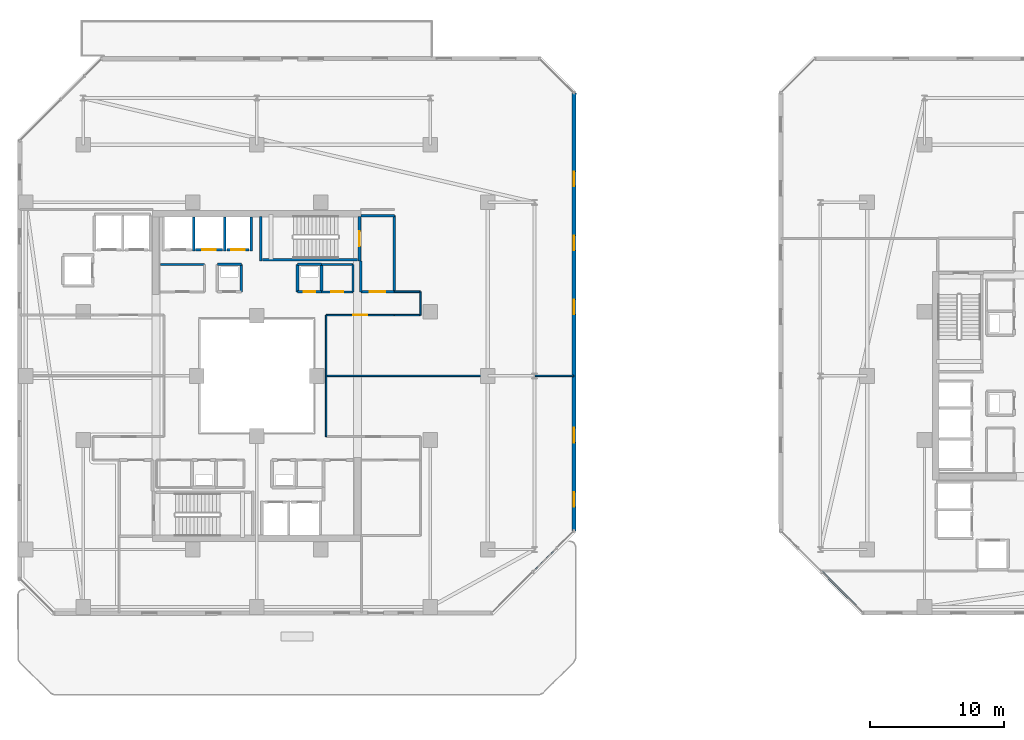
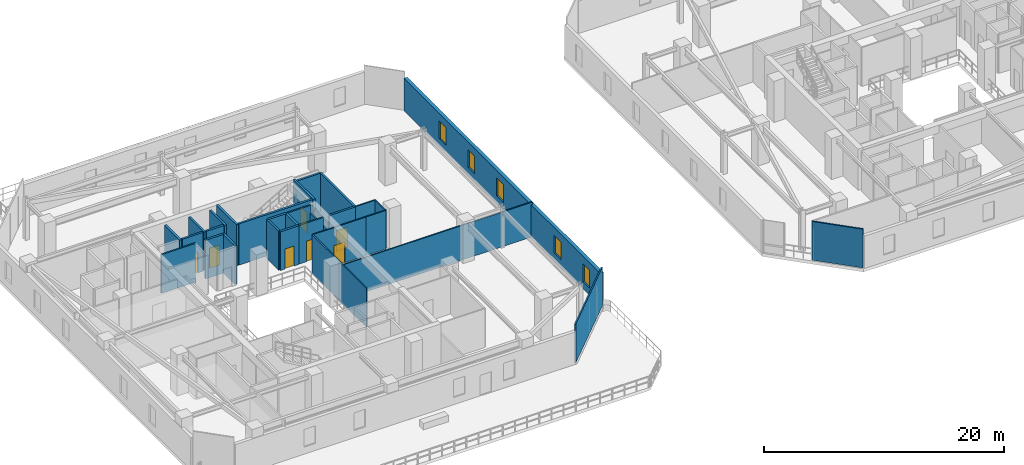
# One storey, part 22 of 33: 32 walls, 7 doors, 5 windows, 12 openings.
"""IFC4 building model written with IfcOpenShell, lengths in metres."""

from ifc_helpers import new_model, si_unit, direction, frame, frame_2d, origin, place, context, subcontext, project, spatial, rectangle, extrude, material, layer, layer_set, type_object, element, fill, save


model = new_model("IFC4")

# Units and contexts
model_context = context("Model", 3, precision=1e-05, world=origin(), true_north=direction((0.0, 1.0)))
body_context = subcontext(model_context, "Body", "Model", "MODEL_VIEW")
ifc_project = project(units=[si_unit("LENGTHUNIT", "METRE"), si_unit("AREAUNIT", "SQUARE_METRE"), si_unit("VOLUMEUNIT", "CUBIC_METRE"), si_unit("PLANEANGLEUNIT", "RADIAN"), si_unit("MASSUNIT", "GRAM", prefix="KILO")], contexts=[model_context])

# Site, building, storey
site_placement = place(None, origin())
site = spatial("IfcSite", under=ifc_project, at=site_placement, CompositionType="ELEMENT")
building_placement = place(site_placement, origin())
building = spatial("IfcBuilding", under=site, at=building_placement, Name="Thornwick Lancets Civic Towers", CompositionType="ELEMENT")
storey_placement = place(building_placement, frame((0.0, 0.0, 174.300048828125)))
storey = spatial("IfcBuildingStorey", under=building, at=storey_placement, Name="L46", CompositionType="ELEMENT", Elevation=174.300048828125)

# Wall, opening, door
ifc_material_1 = material(Name="Concrete blockwork C40/50", Category="masonry")
ifc_layer_1 = layer(ifc_material_1, 0.199951171875, Name="Concrete blockwork C40/50")
ifc_layer_set_1 = layer_set([ifc_layer_1], Name="Concrete blockwork C40/50")
wall_type_1 = type_object("IfcWallType", Name="WALL_COMP_200", PredefinedType="STANDARD", material=ifc_layer_set_1)
wall_1_placement = place(storey_placement, frame((24.919921875, 36.449951171875, 0.0), z_axis=(0.0, 0.0, 1.0), x_axis=(-1.0, 0.0, 0.0)))
wall_1 = element("IfcWall", 1, at=wall_1_placement, inside=storey, type_object=wall_type_1, Name="L46 Hoistway Front Wall FL-A2", PredefinedType="STANDARD", context=body_context, shape_type="SweptSolid", body=[
    extrude(rectangle(XDim=1.639892578125, YDim=0.199951171875, at=frame_2d((0.81982421875, 0.0))), origin(), (0.0, 0.0, 1.0), 3.93994140625),
])
opening_1_placement = place(wall_1_placement, frame((0.31005859375, 0.0, 0.0)))
opening_1 = element("IfcOpeningElement", 2, at=opening_1_placement, cuts=wall_1, Name="Opening LD-FL-A2", PredefinedType="OPENING", context=body_context, shape_type="SweptSolid", body=[
    extrude(rectangle(XDim=1.02001953125, YDim=2.06005859375, at=frame_2d((0.510009765625, 1.030029296875))), frame((0.0, 0.10986328125, 0.0), z_axis=(0.0, -1.0, 0.0), x_axis=(1.0, 0.0, 0.0)), (0.0, 0.0, 1.0), 0.219970703125),
])
ifc_material_2 = material(Name="Brushed bronze stainless steel", Category="steel")
door_type_1 = type_object("IfcDoorType", Name="DOOR_LIFT_SLIDE", OperationType="SLIDING_TO_LEFT", PredefinedType="DOOR", material=ifc_material_2)
door_1_placement = place(opening_1_placement, origin())
door_1 = element("IfcDoor", 3, at=door_1_placement, inside=storey, type_object=door_type_1, Name="L46 Sliding Lift Landing Door LD-FL-A2", OperationType="SLIDING_TO_LEFT", OverallHeight=2.06005859375, OverallWidth=1.02001953125, PredefinedType="DOOR", context=body_context, shape_type="SweptSolid", body=[
    extrude(rectangle(XDim=1.02001953125, YDim=2.06005859375, at=frame_2d((0.510009765625, 1.030029296875))), frame((0.0, 0.02490234375, 0.0), z_axis=(0.0, -1.0, 0.0), x_axis=(1.0, 0.0, 0.0)), (0.0, 0.0, 1.0), 0.050048828125),
])
fill(opening_1, door_1)

wall_2_placement = place(storey_placement, frame((22.919921875, 36.449951171875, 0.0), z_axis=(0.0, 0.0, 1.0), x_axis=(-1.0, 0.0, 0.0)))
wall_2 = element("IfcWall", 4, at=wall_2_placement, inside=storey, type_object=wall_type_1, Name="L46 Hoistway Front Wall PL-AH2", PredefinedType="STANDARD", context=body_context, shape_type="SweptSolid", body=[
    extrude(rectangle(XDim=1.989990234375, YDim=0.199951171875, at=frame_2d((0.9951171875, 0.0))), origin(), (0.0, 0.0, 1.0), 3.93994140625),
])
opening_2_placement = place(wall_2_placement, frame((0.485107421875, 0.0, 0.0)))
opening_2 = element("IfcOpeningElement", 5, at=opening_2_placement, cuts=wall_2, Name="Opening LD-PL-AH2", PredefinedType="OPENING", context=body_context, shape_type="SweptSolid", body=[
    extrude(rectangle(XDim=1.02001953125, YDim=2.06005859375, at=frame_2d((0.510009765625, 1.030029296875))), frame((0.0, 0.10986328125, 0.0), z_axis=(0.0, -1.0, 0.0), x_axis=(1.0, 0.0, 0.0)), (0.0, 0.0, 1.0), 0.219970703125),
])
door_2_placement = place(opening_2_placement, origin())
door_2 = element("IfcDoor", 6, at=door_2_placement, inside=storey, type_object=door_type_1, Name="L46 Sliding Lift Landing Door LD-PL-AH2", OperationType="SLIDING_TO_LEFT", OverallHeight=2.06005859375, OverallWidth=1.02001953125, PredefinedType="DOOR", context=body_context, shape_type="SweptSolid", body=[
    extrude(rectangle(XDim=1.02001953125, YDim=2.06005859375, at=frame_2d((0.510009765625, 1.030029296875))), frame((0.0, 0.02490234375, 0.0), z_axis=(0.0, -1.0, 0.0), x_axis=(1.0, 0.0, 0.0)), (0.0, 0.0, 1.0), 0.050048828125),
])
fill(opening_2, door_2)

# Walls
for number, where, z_axis, x_axis, name in (
    (7, (25.10009765625, 36.35205078125, 0.0), (0.0, 0.0, 1.0), (0.0, 1.0, 0.0), "L46 Hoistway Shaft Wall FL-A2 E"),
    (8, (23.10009765625, 36.35205078125, 0.0), (0.0, 0.0, 1.0), (0.0, 1.0, 0.0), "L46 Hoistway Shaft Wall FL-A2 W"),
    (9, (20.77490234375, 36.35205078125, 0.0), (0.0, 0.0, 1.0), (0.0, 1.0, 0.0), "L46 Hoistway Shaft Wall PL-AH2 W"),
):
    element("IfcWall", number, at=place(storey_placement, frame(where, z_axis=z_axis, x_axis=x_axis)), inside=storey, type_object=wall_type_1, Name=name, PredefinedType="STANDARD", context=body_context, shape_type="SweptSolid", body=[
        extrude(rectangle(XDim=2.535888671875, YDim=0.199951171875, at=frame_2d((1.26806640625, 0.0))), origin(), (0.0, 0.0, 1.0), 3.93994140625),
    ])

# Wall, opening, door
wall_3_placement = place(storey_placement, frame((33.300048828125, 33.300048828125, 0.0), z_axis=(0.0, 0.0, 1.0), x_axis=(1.0, 0.0, 0.0)))
wall_3 = element("IfcWall", 10, at=wall_3_placement, inside=storey, type_object=wall_type_1, Name="L46 Partition L46-A-FFLOB2 E1", PredefinedType="STANDARD", context=body_context, shape_type="SweptSolid", body=[
    extrude(rectangle(XDim=2.5, YDim=0.199951171875, at=frame_2d((1.25, 0.0))), origin(), (0.0, 0.0, 1.0), 3.93994140625),
])
opening_3_placement = place(wall_3_placement, frame((0.675048828125, 0.0, 0.0)))
opening_3 = element("IfcOpeningElement", 11, at=opening_3_placement, cuts=wall_3, Name="Opening D-L46-2050", PredefinedType="OPENING", context=body_context, shape_type="SweptSolid", body=[
    extrude(rectangle(XDim=1.14990234375, YDim=2.10009765625, at=frame_2d((0.574951171875, 1.050048828125))), frame((0.0, 0.10986328125, 0.0), z_axis=(0.0, -1.0, 0.0), x_axis=(1.0, 0.0, 0.0)), (0.0, 0.0, 1.0), 0.219970703125),
])
ifc_material_3 = material(Name="Glazed fire-resisting steel", Category="steel")
door_type_2 = type_object("IfcDoorType", Name="DOOR_LOBBY_FD60", OperationType="NOTDEFINED", PredefinedType="DOOR", material=ifc_material_3)
door_3_placement = place(opening_3_placement, origin())
door_3 = element("IfcDoor", 12, at=door_3_placement, inside=storey, type_object=door_type_2, Name="L46 North Firefighting Lobby 2 Door", OperationType="SINGLE_SWING_LEFT", OverallHeight=2.10009765625, OverallWidth=1.14990234375, PredefinedType="DOOR", context=body_context, shape_type="SweptSolid", body=[
    extrude(rectangle(XDim=1.14990234375, YDim=2.10009765625, at=frame_2d((0.574951171875, 1.050048828125))), frame((0.0, 0.02490234375, 0.0), z_axis=(0.0, -1.0, 0.0), x_axis=(1.0, 0.0, 0.0)), (0.0, 0.0, 1.0), 0.050048828125),
])
fill(opening_3, door_3)

# Walls
wall_4_placement = place(storey_placement, frame((35.800048828125, 33.300048828125, 0.0), z_axis=(0.0, 0.0, 1.0), x_axis=(0.0, 1.0, 0.0)))
element("IfcWall", 13, at=wall_4_placement, inside=storey, type_object=wall_type_1, Name="L46 Partition L46-A-FFLOB2 E2", PredefinedType="STANDARD", context=body_context, shape_type="SweptSolid", body=[
    extrude(rectangle(XDim=5.699951171875, YDim=0.199951171875, at=frame_2d((2.85009765625, 0.0))), origin(), (0.0, 0.0, 1.0), 3.93994140625),
])
wall_5_placement = place(storey_placement, frame((35.800048828125, 39.0, 0.0), z_axis=(0.0, 0.0, 1.0), x_axis=(-1.0, 0.0, 0.0)))
element("IfcWall", 14, at=wall_5_placement, inside=storey, type_object=wall_type_1, Name="L46 Partition L46-A-FFLOB2 E3", PredefinedType="STANDARD", context=body_context, shape_type="SweptSolid", body=[
    extrude(rectangle(XDim=2.5, YDim=0.199951171875, at=frame_2d((1.25, 0.0))), origin(), (0.0, 0.0, 1.0), 3.93994140625),
])
wall_6_placement = place(storey_placement, frame((33.300048828125, 35.60009765625, 0.0), z_axis=(0.0, 0.0, 1.0), x_axis=(0.0, -1.0, 0.0)))
element("IfcWall", 15, at=wall_6_placement, inside=storey, type_object=wall_type_1, Name="L46 Partition L46-A-FFLOB2 E4", PredefinedType="STANDARD", context=body_context, shape_type="SweptSolid", body=[
    extrude(rectangle(XDim=2.300048828125, YDim=0.199951171875, at=frame_2d((1.14990234375, 0.0))), origin(), (0.0, 0.0, 1.0), 3.14501953125),
])
wall_7_placement = place(storey_placement, frame((24.35009765625, 33.300048828125, 0.0), z_axis=(0.0, 0.0, 1.0), x_axis=(0.0, 1.0, 0.0)))
element("IfcWall", 16, at=wall_7_placement, inside=storey, type_object=wall_type_1, Name="L46 Partition L46-A-DUCT2 E2", PredefinedType="STANDARD", context=body_context, shape_type="SweptSolid", body=[
    extrude(rectangle(XDim=2.050048828125, YDim=0.199951171875, at=frame_2d((1.02490234375, 0.0))), origin(), (0.0, 0.0, 1.0), 3.93994140625),
])
wall_8_placement = place(storey_placement, frame((24.35009765625, 35.35009765625, 0.0), z_axis=(0.0, 0.0, 1.0), x_axis=(-1.0, 0.0, 0.0)))
element("IfcWall", 17, at=wall_8_placement, inside=storey, type_object=wall_type_1, Name="L46 Partition L46-A-DUCT2 E3", PredefinedType="STANDARD", context=body_context, shape_type="SweptSolid", body=[
    extrude(rectangle(XDim=1.800048828125, YDim=0.199951171875, at=frame_2d((0.89990234375, 0.0))), origin(), (0.0, 0.0, 1.0), 3.93994140625),
])

# Wall, opening, door
wall_9_placement = place(storey_placement, frame((28.550048828125, 33.300048828125, 0.0), z_axis=(0.0, 0.0, 1.0), x_axis=(1.0, 0.0, 0.0)))
wall_9 = element("IfcWall", 18, at=wall_9_placement, inside=storey, type_object=wall_type_1, Name="L46 Partition L46-A-RISER2 E1", PredefinedType="STANDARD", context=body_context, shape_type="SweptSolid", body=[
    extrude(rectangle(XDim=1.800048828125, YDim=0.199951171875, at=frame_2d((0.89990234375, 0.0))), origin(), (0.0, 0.0, 1.0), 3.93994140625),
])
opening_4_placement = place(wall_9_placement, frame((0.4599609375, 0.0, 0.0)))
opening_4 = element("IfcOpeningElement", 19, at=opening_4_placement, cuts=wall_9, Name="Opening D-L46-2054", PredefinedType="OPENING", context=body_context, shape_type="SweptSolid", body=[
    extrude(rectangle(XDim=0.8798828125, YDim=2.0400390625, at=frame_2d((0.43994140625, 1.02001953125))), frame((0.0, 0.10986328125, 0.0), z_axis=(0.0, -1.0, 0.0), x_axis=(1.0, 0.0, 0.0)), (0.0, 0.0, 1.0), 0.219970703125),
])
ifc_material_4 = material(Name="Steel riser access doorset", Category="steel")
door_type_3 = type_object("IfcDoorType", Name="DOOR_RISER_850", OperationType="NOTDEFINED", PredefinedType="DOOR", material=ifc_material_4)
door_4_placement = place(opening_4_placement, origin())
door_4 = element("IfcDoor", 20, at=door_4_placement, inside=storey, type_object=door_type_3, Name="L46 North Service Riser 2 Door", OperationType="SINGLE_SWING_LEFT", OverallHeight=2.0400390625, OverallWidth=0.8798828125, PredefinedType="DOOR", context=body_context, shape_type="SweptSolid", body=[
    extrude(rectangle(XDim=0.8798828125, YDim=2.0400390625, at=frame_2d((0.43994140625, 1.02001953125))), frame((0.0, 0.02490234375, 0.0), z_axis=(0.0, -1.0, 0.0), x_axis=(1.0, 0.0, 0.0)), (0.0, 0.0, 1.0), 0.050048828125),
])
fill(opening_4, door_4)

# Walls
wall_10_placement = place(storey_placement, frame((30.35009765625, 33.300048828125, 0.0), z_axis=(0.0, 0.0, 1.0), x_axis=(0.0, 1.0, 0.0)))
element("IfcWall", 21, at=wall_10_placement, inside=storey, type_object=wall_type_1, Name="L46 Partition L46-A-RISER2 E2", PredefinedType="STANDARD", context=body_context, shape_type="SweptSolid", body=[
    extrude(rectangle(XDim=2.050048828125, YDim=0.199951171875, at=frame_2d((1.02490234375, 0.0))), origin(), (0.0, 0.0, 1.0), 3.93994140625),
])
wall_11_placement = place(storey_placement, frame((30.35009765625, 35.35009765625, 0.0), z_axis=(0.0, 0.0, 1.0), x_axis=(-1.0, 0.0, 0.0)))
element("IfcWall", 22, at=wall_11_placement, inside=storey, type_object=wall_type_1, Name="L46 Partition L46-A-RISER2 E3", PredefinedType="STANDARD", context=body_context, shape_type="SweptSolid", body=[
    extrude(rectangle(XDim=1.800048828125, YDim=0.199951171875, at=frame_2d((0.89990234375, 0.0))), origin(), (0.0, 0.0, 1.0), 3.93994140625),
])
wall_12_placement = place(storey_placement, frame((28.550048828125, 35.35009765625, 0.0), z_axis=(0.0, 0.0, 1.0), x_axis=(0.0, -1.0, 0.0)))
element("IfcWall", 23, at=wall_12_placement, inside=storey, type_object=wall_type_1, Name="L46 Partition L46-A-RISER2 E4", PredefinedType="STANDARD", context=body_context, shape_type="SweptSolid", body=[
    extrude(rectangle(XDim=2.050048828125, YDim=0.199951171875, at=frame_2d((1.02490234375, 0.0))), origin(), (0.0, 0.0, 1.0), 3.93994140625),
])

# Wall, openings, windows
ifc_material_5 = material(Name="Insulated buff terracotta rainscreen on concrete C40/50", Category="masonry")
ifc_layer_2 = layer(ifc_material_5, 0.320068359375, Name="Insulated buff terracotta rainscreen on concrete C40/50")
ifc_layer_set_2 = layer_set([ifc_layer_2], Name="Insulated buff terracotta rainscreen on concrete C40/50")
wall_type_2 = type_object("IfcWallType", Name="WALL_EXT_TERRA_320", PredefinedType="STANDARD", material=ifc_layer_set_2)
wall_13_placement = place(storey_placement, frame((49.252685546875, 15.403564453125, 0.0), z_axis=(0.0, 0.0, 1.0), x_axis=(0.000364968916, 0.999999933399, 0.0)))
wall_13 = element("IfcWall", 24, at=wall_13_placement, inside=storey, type_object=wall_type_2, Name="L46 Tower A Terracotta Facade Wall E2", PredefinedType="STANDARD", context=body_context, shape_type="SweptSolid", body=[
    extrude(rectangle(XDim=32.77783203125, YDim=0.320068359375, at=frame_2d((16.388916015625, 0.0))), origin(), (0.0, 0.0, 1.0), 3.300048828125),
])
opening_5_placement = place(wall_13_placement, frame((1.800048828125, 0.0, 0.719970703125)))
opening_5 = element("IfcOpeningElement", 25, at=opening_5_placement, cuts=wall_13, Name="Opening WL-02", PredefinedType="OPENING", context=body_context, shape_type="SweptSolid", body=[
    extrude(rectangle(XDim=1.10009765625, YDim=1.800048828125, at=frame_2d((0.550048828125, 0.89990234375))), frame((0.0, 0.169921875, 0.0), z_axis=(0.0, -1.0, 0.0), x_axis=(1.0, 0.0, 0.0)), (0.0, 0.0, 1.0), 0.340087890625),
])
opening_6_placement = place(wall_13_placement, frame((6.60009765625, 0.0, 0.719970703125)))
opening_6 = element("IfcOpeningElement", 26, at=opening_6_placement, cuts=wall_13, Name="Opening WL-02", PredefinedType="OPENING", context=body_context, shape_type="SweptSolid", body=[
    extrude(rectangle(XDim=1.10009765625, YDim=1.800048828125, at=frame_2d((0.550048828125, 0.89990234375))), frame((0.0, 0.169921875, 0.0), z_axis=(0.0, -1.0, 0.0), x_axis=(1.0, 0.0, 0.0)), (0.0, 0.0, 1.0), 0.340087890625),
])
opening_7_placement = place(wall_13_placement, frame((16.199951171875, 0.0, 0.719970703125)))
opening_7 = element("IfcOpeningElement", 27, at=opening_7_placement, cuts=wall_13, Name="Opening WL-02", PredefinedType="OPENING", context=body_context, shape_type="SweptSolid", body=[
    extrude(rectangle(XDim=1.10009765625, YDim=1.800048828125, at=frame_2d((0.550048828125, 0.89990234375))), frame((0.0, 0.169921875, 0.0), z_axis=(0.0, -1.0, 0.0), x_axis=(1.0, 0.0, 0.0)), (0.0, 0.0, 1.0), 0.340087890625),
])
opening_8_placement = place(wall_13_placement, frame((21.0, 0.0, 0.719970703125)))
opening_8 = element("IfcOpeningElement", 28, at=opening_8_placement, cuts=wall_13, Name="Opening WL-02", PredefinedType="OPENING", context=body_context, shape_type="SweptSolid", body=[
    extrude(rectangle(XDim=1.10009765625, YDim=1.800048828125, at=frame_2d((0.550048828125, 0.89990234375))), frame((0.0, 0.169921875, 0.0), z_axis=(0.0, -1.0, 0.0), x_axis=(1.0, 0.0, 0.0)), (0.0, 0.0, 1.0), 0.340087890625),
])
opening_9_placement = place(wall_13_placement, frame((25.800048828125, 0.0, 0.719970703125)))
opening_9 = element("IfcOpeningElement", 29, at=opening_9_placement, cuts=wall_13, Name="Opening WL-02", PredefinedType="OPENING", context=body_context, shape_type="SweptSolid", body=[
    extrude(rectangle(XDim=1.10009765625, YDim=1.800048828125, at=frame_2d((0.550048828125, 0.89990234375))), frame((0.0, 0.169921875, 0.0), z_axis=(0.0, -1.0, 0.0), x_axis=(1.0, 0.0, 0.0)), (0.0, 0.0, 1.0), 0.340087890625),
])
ifc_material_6 = material(Name="Clear low-e double glazing in bronze frame", Category="glass")
window_type = type_object("IfcWindowType", Name="WIN_LANCET_1100", PartitioningType="SINGLE_PANEL", PredefinedType="WINDOW", material=ifc_material_6)
window_1_placement = place(opening_5_placement, origin())
window_1 = element("IfcWindow", 30, at=window_1_placement, inside=storey, type_object=window_type, Name="L46 Tower A Staggered Lancet Window E2-1", OverallHeight=1.800048828125, OverallWidth=1.10009765625, PartitioningType="SINGLE_PANEL", PredefinedType="WINDOW", context=body_context, shape_type="SweptSolid", body=[
    extrude(rectangle(XDim=1.10009765625, YDim=1.800048828125, at=frame_2d((0.550048828125, 0.89990234375))), frame((0.0, 0.030029296875, 0.0), z_axis=(0.0, -1.0, 0.0), x_axis=(1.0, 0.0, 0.0)), (0.0, 0.0, 1.0), 0.06005859375),
])
fill(opening_5, window_1)
window_2_placement = place(opening_6_placement, origin())
window_2 = element("IfcWindow", 31, at=window_2_placement, inside=storey, type_object=window_type, Name="L46 Tower A Staggered Lancet Window E2-2", OverallHeight=1.800048828125, OverallWidth=1.10009765625, PartitioningType="SINGLE_PANEL", PredefinedType="WINDOW", context=body_context, shape_type="SweptSolid", body=[
    extrude(rectangle(XDim=1.10009765625, YDim=1.800048828125, at=frame_2d((0.550048828125, 0.89990234375))), frame((0.0, 0.030029296875, 0.0), z_axis=(0.0, -1.0, 0.0), x_axis=(1.0, 0.0, 0.0)), (0.0, 0.0, 1.0), 0.06005859375),
])
fill(opening_6, window_2)
window_3_placement = place(opening_7_placement, origin())
window_3 = element("IfcWindow", 32, at=window_3_placement, inside=storey, type_object=window_type, Name="L46 Tower A Staggered Lancet Window E2-3", OverallHeight=1.800048828125, OverallWidth=1.10009765625, PartitioningType="SINGLE_PANEL", PredefinedType="WINDOW", context=body_context, shape_type="SweptSolid", body=[
    extrude(rectangle(XDim=1.10009765625, YDim=1.800048828125, at=frame_2d((0.550048828125, 0.89990234375))), frame((0.0, 0.030029296875, 0.0), z_axis=(0.0, -1.0, 0.0), x_axis=(1.0, 0.0, 0.0)), (0.0, 0.0, 1.0), 0.06005859375),
])
fill(opening_7, window_3)
window_4_placement = place(opening_8_placement, origin())
window_4 = element("IfcWindow", 33, at=window_4_placement, inside=storey, type_object=window_type, Name="L46 Tower A Staggered Lancet Window E2-4", OverallHeight=1.800048828125, OverallWidth=1.10009765625, PartitioningType="SINGLE_PANEL", PredefinedType="WINDOW", context=body_context, shape_type="SweptSolid", body=[
    extrude(rectangle(XDim=1.10009765625, YDim=1.800048828125, at=frame_2d((0.550048828125, 0.89990234375))), frame((0.0, 0.030029296875, 0.0), z_axis=(0.0, -1.0, 0.0), x_axis=(1.0, 0.0, 0.0)), (0.0, 0.0, 1.0), 0.06005859375),
])
fill(opening_8, window_4)
window_5_placement = place(opening_9_placement, origin())
window_5 = element("IfcWindow", 34, at=window_5_placement, inside=storey, type_object=window_type, Name="L46 Tower A Staggered Lancet Window E2-5", OverallHeight=1.800048828125, OverallWidth=1.10009765625, PartitioningType="SINGLE_PANEL", PredefinedType="WINDOW", context=body_context, shape_type="SweptSolid", body=[
    extrude(rectangle(XDim=1.10009765625, YDim=1.800048828125, at=frame_2d((0.550048828125, 0.89990234375))), frame((0.0, 0.030029296875, 0.0), z_axis=(0.0, -1.0, 0.0), x_axis=(1.0, 0.0, 0.0)), (0.0, 0.0, 1.0), 0.06005859375),
])
fill(opening_9, window_5)

# Walls
ifc_material_7 = material(Name="Acoustic gypsum board partition")
ifc_layer_3 = layer(ifc_material_7, 0.1201171875, Name="Acoustic gypsum board partition")
ifc_layer_set_3 = layer_set([ifc_layer_3], Name="Acoustic gypsum board partition")
wall_type_3 = type_object("IfcWallType", Name="WALL_PART_120", PredefinedType="PARTITIONING", material=ifc_layer_set_3)
wall_14_placement = place(storey_placement, frame((30.699951171875, 22.449951171875, 0.0), z_axis=(0.0, 0.0, 1.0), x_axis=(0.0, 1.0, 0.0)))
element("IfcWall", 35, at=wall_14_placement, inside=storey, type_object=wall_type_3, Name="L46 Partition L46-A-E1 E5", PredefinedType="PARTITIONING", context=body_context, shape_type="SweptSolid", body=[
    extrude(rectangle(XDim=4.550048828125, YDim=0.1201171875, at=frame_2d((2.27490234375, 0.0))), origin(), (0.0, 0.0, 1.0), 3.93994140625),
])
wall_15_placement = place(storey_placement, frame((30.699951171875, 27.0, 0.0), z_axis=(0.0, 0.0, 1.0), x_axis=(1.0, 0.0, 0.0)))
element("IfcWall", 36, at=wall_15_placement, inside=storey, type_object=wall_type_3, Name="L46 Partition L46-A-E1 E6", PredefinedType="PARTITIONING", context=body_context, shape_type="SweptSolid", body=[
    extrude(rectangle(XDim=18.52001953125, YDim=0.1201171875, at=frame_2d((9.260009765625, 0.0))), origin(), (0.0, 0.0, 1.0), 3.5322265625),
])
wall_16_placement = place(storey_placement, frame((49.219970703125, 15.37451171875, 0.0), z_axis=(0.0, 0.0, 1.0), x_axis=(-0.707106781187, -0.707106781187, 0.0)))
element("IfcWall", 37, at=wall_16_placement, inside=storey, type_object=wall_type_3, Name="L46 Partition L46-A-E1 E8", PredefinedType="PARTITIONING", context=body_context, shape_type="SweptSolid", body=[
    extrude(rectangle(XDim=8.618896484375, YDim=0.1201171875, at=frame_2d((4.3095703125, 0.0))), origin(), (0.0, 0.0, 1.0), 3.93994140625),
])

# Wall, opening, door
wall_17_placement = place(storey_placement, frame((30.699951171875, 31.550048828125, 0.0), z_axis=(0.0, 0.0, 1.0), x_axis=(1.0, 0.0, 0.0)))
wall_17 = element("IfcWall", 38, at=wall_17_placement, inside=storey, type_object=wall_type_3, Name="L46 Partition L46-A-SKYPOOL-LOUNGE E1", PredefinedType="PARTITIONING", context=body_context, shape_type="SweptSolid", body=[
    extrude(rectangle(XDim=5.10009765625, YDim=0.1201171875, at=frame_2d((2.550048828125, 0.0))), origin(), (0.0, 0.0, 1.0), 3.93994140625),
])
opening_10_placement = place(wall_17_placement, frame((2.02490234375, 0.0, 0.0)))
opening_10 = element("IfcOpeningElement", 39, at=opening_10_placement, cuts=wall_17, Name="Opening D-L46-2077", PredefinedType="OPENING", context=body_context, shape_type="SweptSolid", body=[
    extrude(rectangle(XDim=1.050048828125, YDim=2.10009765625, at=frame_2d((0.52490234375, 1.050048828125))), frame((0.0, 0.070068359375, 0.0), z_axis=(0.0, -1.0, 0.0), x_axis=(1.0, 0.0, 0.0)), (0.0, 0.0, 1.0), 0.14013671875),
])
ifc_material_8 = material(Name="Glazed European oak executive doorset")
door_type_4 = type_object("IfcDoorType", Name="DOOR_OFFICE_1050", OperationType="NOTDEFINED", PredefinedType="DOOR", material=ifc_material_8)
door_5_placement = place(opening_10_placement, origin())
door_5 = element("IfcDoor", 40, at=door_5_placement, inside=storey, type_object=door_type_4, Name="L46 Sky Pool Wellness Lounge Door", OperationType="SINGLE_SWING_RIGHT", OverallHeight=2.10009765625, OverallWidth=1.050048828125, PredefinedType="DOOR", context=body_context, shape_type="SweptSolid", body=[
    extrude(rectangle(XDim=1.050048828125, YDim=2.10009765625, at=frame_2d((0.52490234375, 1.050048828125))), frame((0.0, 0.02490234375, 0.0), z_axis=(0.0, -1.0, 0.0), x_axis=(1.0, 0.0, 0.0)), (0.0, 0.0, 1.0), 0.050048828125),
])
fill(opening_10, door_5)

# Walls
wall_18_placement = place(storey_placement, frame((35.800048828125, 31.550048828125, 0.0), z_axis=(0.0, 0.0, 1.0), x_axis=(1.0, 0.0, 0.0)))
element("IfcWall", 41, at=wall_18_placement, inside=storey, type_object=wall_type_3, Name="L46 Partition L46-A-SKYPOOL-LOUNGE E2", PredefinedType="PARTITIONING", context=body_context, shape_type="SweptSolid", body=[
    extrude(rectangle(XDim=1.949951171875, YDim=0.1201171875, at=frame_2d((0.97509765625, 0.0))), origin(), (0.0, 0.0, 1.0), 3.93994140625),
])
wall_19_placement = place(storey_placement, frame((37.75, 31.550048828125, 0.0), z_axis=(0.0, 0.0, 1.0), x_axis=(0.0, 1.0, 0.0)))
element("IfcWall", 42, at=wall_19_placement, inside=storey, type_object=wall_type_3, Name="L46 Partition L46-A-SKYPOOL-LOUNGE E3", PredefinedType="PARTITIONING", context=body_context, shape_type="SweptSolid", body=[
    extrude(rectangle(XDim=1.75, YDim=0.1201171875, at=frame_2d((0.875, 0.0))), origin(), (0.0, 0.0, 1.0), 3.93994140625),
])
wall_20_placement = place(storey_placement, frame((37.75, 33.300048828125, 0.0), z_axis=(0.0, 0.0, 1.0), x_axis=(-1.0, 0.0, 0.0)))
element("IfcWall", 43, at=wall_20_placement, inside=storey, type_object=wall_type_3, Name="L46 Partition L46-A-SKYPOOL-LOUNGE E4", PredefinedType="PARTITIONING", context=body_context, shape_type="SweptSolid", body=[
    extrude(rectangle(XDim=1.949951171875, YDim=0.1201171875, at=frame_2d((0.97509765625, 0.0))), origin(), (0.0, 0.0, 1.0), 3.93994140625),
])
wall_21_placement = place(storey_placement, frame((30.699951171875, 27.0, 0.0), z_axis=(0.0, 0.0, 1.0), x_axis=(0.0, 1.0, 0.0)))
element("IfcWall", 44, at=wall_21_placement, inside=storey, type_object=wall_type_3, Name="L46 Partition L46-A-SKYPOOL-LOUNGE E14", PredefinedType="PARTITIONING", context=body_context, shape_type="SweptSolid", body=[
    extrude(rectangle(XDim=4.550048828125, YDim=0.1201171875, at=frame_2d((2.27490234375, 0.0))), origin(), (0.0, 0.0, 1.0), 3.93994140625),
])
ifc_material_9 = material(Name="Twin-stud acoustic gypsum board")
ifc_layer_4 = layer(ifc_material_9, 0.14990234375, Name="Twin-stud acoustic gypsum board")
ifc_layer_set_4 = layer_set([ifc_layer_4], Name="Twin-stud acoustic gypsum board")
wall_type_4 = type_object("IfcWallType", Name="WALL_PART_150", PredefinedType="PARTITIONING", material=ifc_layer_set_4)
wall_22_placement = place(storey_placement, frame((21.60009765625, 35.35009765625, 0.0), z_axis=(0.0, 0.0, 1.0), x_axis=(-1.0, 0.0, 0.0)))
element("IfcWall", 45, at=wall_22_placement, inside=storey, type_object=wall_type_4, Name="L46 Partition L46-A-MWC E3", PredefinedType="PARTITIONING", context=body_context, shape_type="SweptSolid", body=[
    extrude(rectangle(XDim=3.300048828125, YDim=0.14990234375, at=frame_2d((1.64990234375, 0.0))), origin(), (0.0, 0.0, 1.0), 3.93994140625),
])
wall_23_placement = place(storey_placement, frame((32.699951171875, 35.35009765625, 0.0), z_axis=(0.0, 0.0, 1.0), x_axis=(0.0, -1.0, 0.0)))
element("IfcWall", 46, at=wall_23_placement, inside=storey, type_object=wall_type_4, Name="L46 Partition L46-A-FWC E1", PredefinedType="PARTITIONING", context=body_context, shape_type="SweptSolid", body=[
    extrude(rectangle(XDim=2.050048828125, YDim=0.14990234375, at=frame_2d((1.02490234375, 0.0))), origin(), (0.0, 0.0, 1.0), 3.14501953125),
])

# Wall, opening, door
wall_24_placement = place(storey_placement, frame((32.699951171875, 33.300048828125, 0.0), z_axis=(0.0, 0.0, 1.0), x_axis=(-1.0, 0.0, 0.0)))
wall_24 = element("IfcWall", 47, at=wall_24_placement, inside=storey, type_object=wall_type_4, Name="L46 Partition L46-A-FWC E2", PredefinedType="PARTITIONING", context=body_context, shape_type="SweptSolid", body=[
    extrude(rectangle(XDim=2.349853515625, YDim=0.14990234375, at=frame_2d((1.1748046875, 0.0))), origin(), (0.0, 0.0, 1.0), 3.93994140625),
])
opening_11_placement = place(wall_24_placement, frame((0.715087890625, 0.0, 0.0)))
opening_11 = element("IfcOpeningElement", 48, at=opening_11_placement, cuts=wall_24, Name="Opening D-L46-2060", PredefinedType="OPENING", context=body_context, shape_type="SweptSolid", body=[
    extrude(rectangle(XDim=0.919921875, YDim=2.080078125, at=frame_2d((0.4599609375, 1.0400390625))), frame((0.0, 0.0849609375, 0.0), z_axis=(0.0, -1.0, 0.0), x_axis=(1.0, 0.0, 0.0)), (0.0, 0.0, 1.0), 0.169921875),
])
ifc_material_10 = material(Name="Moisture-resistant oak doorset")
door_type_5 = type_object("IfcDoorType", Name="DOOR_WC_900", OperationType="NOTDEFINED", PredefinedType="DOOR", material=ifc_material_10)
door_6_placement = place(opening_11_placement, origin())
door_6 = element("IfcDoor", 49, at=door_6_placement, inside=storey, type_object=door_type_5, Name="L46 Tower A Female WC Door", OperationType="SINGLE_SWING_LEFT", OverallHeight=2.080078125, OverallWidth=0.919921875, PredefinedType="DOOR", context=body_context, shape_type="SweptSolid", body=[
    extrude(rectangle(XDim=0.919921875, YDim=2.080078125, at=frame_2d((0.4599609375, 1.0400390625))), frame((0.0, 0.02490234375, 0.0), z_axis=(0.0, -1.0, 0.0), x_axis=(1.0, 0.0, 0.0)), (0.0, 0.0, 1.0), 0.050048828125),
])
fill(opening_11, door_6)

# Walls
wall_25_placement = place(storey_placement, frame((30.35009765625, 35.35009765625, 0.0), z_axis=(0.0, 0.0, 1.0), x_axis=(1.0, 0.0, 0.0)))
element("IfcWall", 50, at=wall_25_placement, inside=storey, type_object=wall_type_4, Name="L46 Partition L46-A-FWC E4", PredefinedType="PARTITIONING", context=body_context, shape_type="SweptSolid", body=[
    extrude(rectangle(XDim=2.349853515625, YDim=0.14990234375, at=frame_2d((1.1748046875, 0.0))), origin(), (0.0, 0.0, 1.0), 3.93994140625),
])
wall_26_placement = place(storey_placement, frame((70.87451171875, 9.280029296875, 0.0), z_axis=(0.0, 0.0, 1.0), x_axis=(-0.707106781187, 0.707106781187, 0.0)))
element("IfcWall", 51, at=wall_26_placement, inside=storey, type_object=wall_type_4, Name="L46 Partition L46-B-W2 E5", PredefinedType="PARTITIONING", context=body_context, shape_type="SweptSolid", body=[
    extrude(rectangle(XDim=4.412109375, YDim=0.14990234375, at=frame_2d((2.2060546875, 0.0))), origin(), (0.0, 0.0, 1.0), 3.93994140625),
])

# Wall, opening, door
ifc_material_11 = material(Name="Concrete C40/50", Category="concrete")
ifc_layer_5 = layer(ifc_material_11, 0.199951171875, Name="Concrete C40/50")
ifc_layer_set_5 = layer_set([ifc_layer_5], Name="Concrete C40/50")
wall_type_5 = type_object("IfcWallType", Name="WALL_SHAFT_200", PredefinedType="SHEAR", material=ifc_layer_set_5)
wall_27_placement = place(storey_placement, frame((33.199951171875, 38.949951171875, 0.0), z_axis=(0.0, 0.0, 1.0), x_axis=(0.0, -1.0, 0.0)))
wall_27 = element("IfcWall", 52, at=wall_27_placement, inside=storey, type_object=wall_type_5, Name="L46 ST-A2 Fire Stair Core Wall NEAR", PredefinedType="SHEAR", context=body_context, shape_type="SweptSolid", body=[
    extrude(rectangle(XDim=3.349853515625, YDim=0.199951171875, at=frame_2d((1.6748046875, 0.0))), origin(), (0.0, 0.0, 1.0), 4.199951171875),
])
opening_12_placement = place(wall_27_placement, frame((1.125, 0.0, 0.0)))
opening_12 = element("IfcOpeningElement", 53, at=opening_12_placement, cuts=wall_27, Name="Opening D-ST-A2-L46", PredefinedType="OPENING", context=body_context, shape_type="SweptSolid", body=[
    extrude(rectangle(XDim=1.10009765625, YDim=2.10009765625, at=frame_2d((0.550048828125, 1.050048828125))), frame((0.0, 0.10986328125, 0.0), z_axis=(0.0, -1.0, 0.0), x_axis=(1.0, 0.0, 0.0)), (0.0, 0.0, 1.0), 0.219970703125),
])
ifc_material_12 = material(Name="Fire-resisting steel and hardwood", Category="steel")
door_type_6 = type_object("IfcDoorType", Name="DOOR_STAIR_FD60", OperationType="NOTDEFINED", PredefinedType="DOOR", material=ifc_material_12)
door_7_placement = place(opening_12_placement, origin())
door_7 = element("IfcDoor", 54, at=door_7_placement, inside=storey, type_object=door_type_6, Name="L46 ST-A2 Exit Stair Door", OperationType="SINGLE_SWING_LEFT", OverallHeight=2.10009765625, OverallWidth=1.10009765625, PredefinedType="DOOR", context=body_context, shape_type="SweptSolid", body=[
    extrude(rectangle(XDim=1.10009765625, YDim=2.10009765625, at=frame_2d((0.550048828125, 1.050048828125))), frame((0.0, 0.02490234375, 0.0), z_axis=(0.0, -1.0, 0.0), x_axis=(1.0, 0.0, 0.0)), (0.0, 0.0, 1.0), 0.050048828125),
])
fill(opening_12, door_7)

# Walls
wall_28_placement = place(storey_placement, frame((25.800048828125, 35.60009765625, 0.0), z_axis=(0.0, 0.0, 1.0), x_axis=(0.0, 1.0, 0.0)))
element("IfcWall", 55, at=wall_28_placement, inside=storey, type_object=wall_type_5, Name="L46 ST-A2 Fire Stair Core Wall FAR", PredefinedType="SHEAR", context=body_context, shape_type="SweptSolid", body=[
    extrude(rectangle(XDim=3.349853515625, YDim=0.199951171875, at=frame_2d((1.6748046875, 0.0))), origin(), (0.0, 0.0, 1.0), 4.199951171875),
])
wall_29_placement = place(storey_placement, frame((25.949951171875, 35.702880859375, 0.0), z_axis=(0.0, 0.0, 1.0), x_axis=(1.0, 0.0, 0.0)))
element("IfcWall", 56, at=wall_29_placement, inside=storey, type_object=wall_type_5, Name="L46 ST-A2 Fire Stair Core Wall RIGHT", PredefinedType="SHEAR", context=body_context, shape_type="SweptSolid", body=[
    extrude(rectangle(XDim=7.10009765625, YDim=0.199951171875, at=frame_2d((3.550048828125, 0.0))), origin(), (0.0, 0.0, 1.0), 4.199951171875),
])

save(model, "model.ifc")
